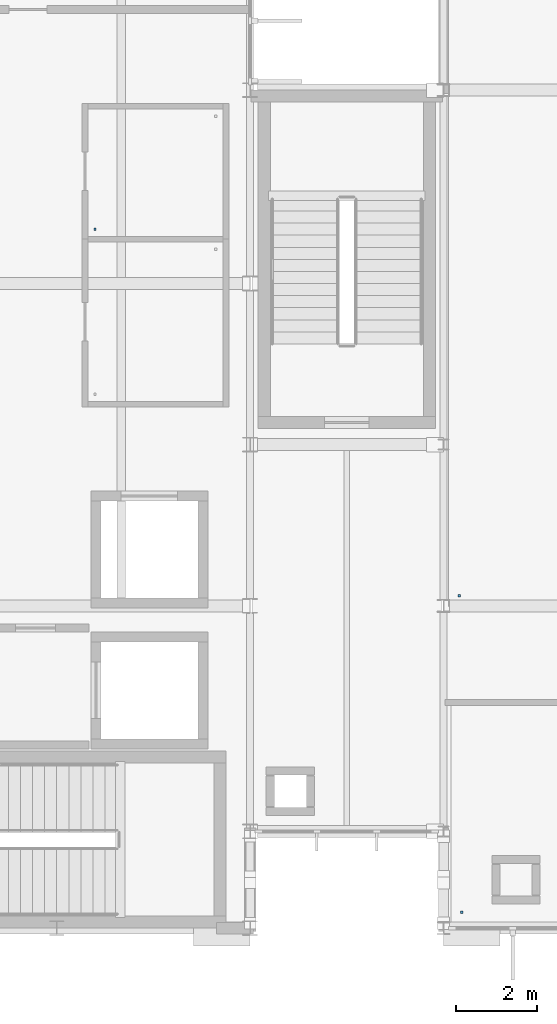
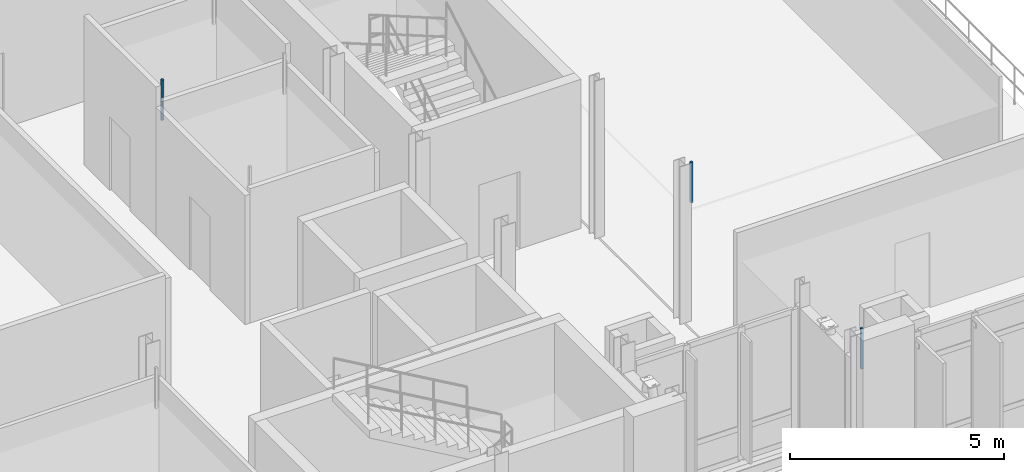
# One storey, part 72 of 110: 3 discrete accessories.
"""IFC4 building model written with IfcOpenShell, lengths in metres."""

from ifc_helpers import new_model, si_unit, direction, frame, origin, place, context, subcontext, project, spatial, polyline, outline, extrude, material, type_object, element, save


model = new_model("IFC4")

# Units and contexts
model_context = context("Model", 3, precision=1e-05, world=origin(), true_north=direction((0.0, 1.0)))
body_context = subcontext(model_context, "Body", "Model", "MODEL_VIEW")
ifc_project = project(units=[si_unit("LENGTHUNIT", "METRE"), si_unit("AREAUNIT", "SQUARE_METRE"), si_unit("VOLUMEUNIT", "CUBIC_METRE"), si_unit("PLANEANGLEUNIT", "RADIAN"), si_unit("MASSUNIT", "GRAM", prefix="KILO")], contexts=[model_context])

# Site, building, storey
site_placement = place(None, origin())
site = spatial("IfcSite", under=ifc_project, at=site_placement, CompositionType="ELEMENT")
building_placement = place(site_placement, origin())
building = spatial("IfcBuilding", under=site, at=building_placement, Name="Dunescarp Central Library", CompositionType="ELEMENT")
storey_placement = place(building_placement, frame((0.0, 0.0, 9.60009765625)))
storey = spatial("IfcBuildingStorey", under=building, at=storey_placement, Name="L02", CompositionType="ELEMENT", Elevation=9.60009765625)

# Discrete accessories
ifc_material = material(Name="Stainless steel Grade 316L", Category="steel")
discrete_accessory_type = type_object("IfcDiscreteAccessoryType", Name="ARC-ACC-BRK", PredefinedType="BRACKET", material=ifc_material)
discrete_accessory_1_placement = place(storey_placement, frame((0.0, 0.0, 3.059814453125)))
element("IfcDiscreteAccessory", 1, at=discrete_accessory_1_placement, inside=storey, type_object=discrete_accessory_type, Name="L02 ceiling hanger CLG-L02-016-H1", PredefinedType="BRACKET", context=body_context, shape_type="SweptSolid", body=[
    extrude(outline(polyline([(29.719970703125, 22.1201171875), (29.780029296875, 22.1201171875), (29.780029296875, 22.179931640625), (29.719970703125, 22.179931640625), (29.719970703125, 22.1201171875)])), origin(), (0.0, 0.0, 1.0), 1.16015625),
])
discrete_accessory_2_placement = place(storey_placement, frame((0.0, 0.0, 3.059814453125)))
element("IfcDiscreteAccessory", 2, at=discrete_accessory_2_placement, inside=storey, type_object=discrete_accessory_type, Name="L02 ceiling hanger CLG-L02-060-H1", PredefinedType="BRACKET", context=body_context, shape_type="SweptSolid", body=[
    extrude(outline(polyline([(38.820068359375, 5.159912109375), (38.8798828125, 5.159912109375), (38.8798828125, 5.219970703125), (38.820068359375, 5.219970703125), (38.820068359375, 5.159912109375)])), origin(), (0.0, 0.0, 1.0), 1.16015625),
])
discrete_accessory_3_placement = place(storey_placement, frame((0.0, 0.0, 3.059814453125)))
element("IfcDiscreteAccessory", 3, at=discrete_accessory_3_placement, inside=storey, type_object=discrete_accessory_type, Name="L02 ceiling hanger CLG-L02-063-H1", PredefinedType="BRACKET", context=body_context, shape_type="SweptSolid", body=[
    extrude(outline(polyline([(38.760009765625, 13.02001953125), (38.820068359375, 13.02001953125), (38.820068359375, 13.080078125), (38.760009765625, 13.080078125), (38.760009765625, 13.02001953125)])), origin(), (0.0, 0.0, 1.0), 1.16015625),
])

save(model, "model.ifc")
